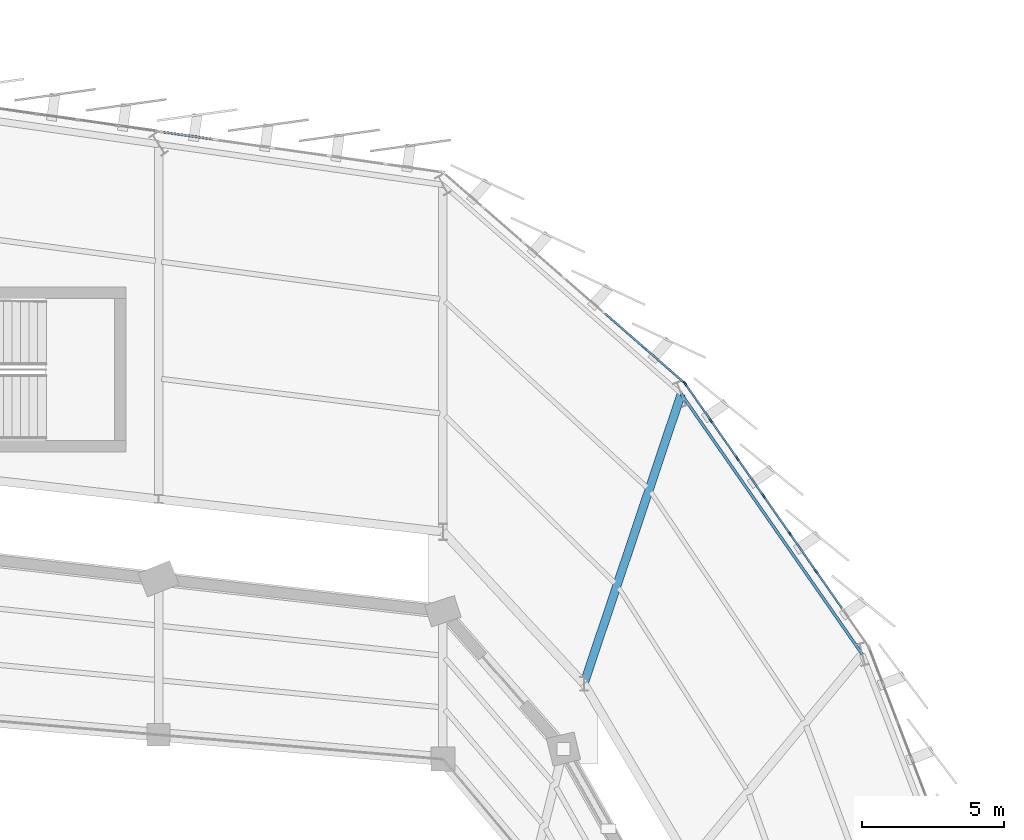
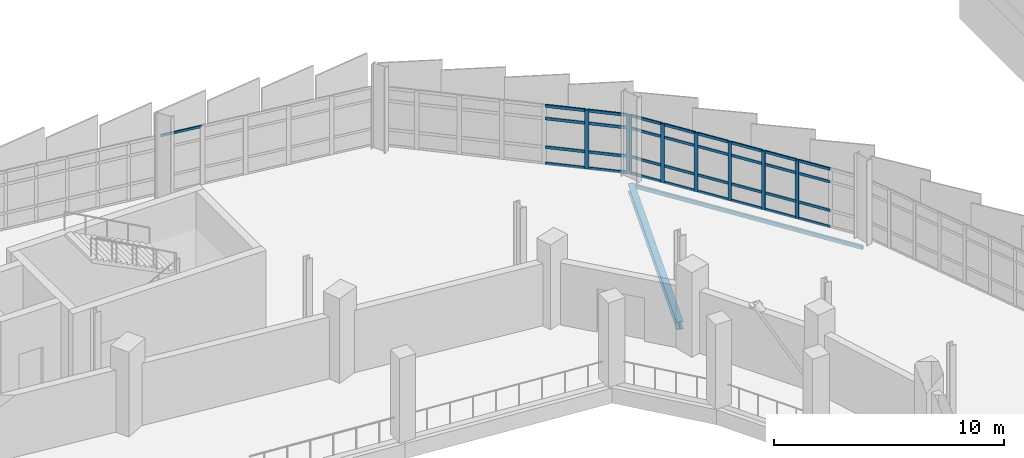
# One storey, part 77 of 125: 41 members, 2 beams, 3 elements without a shape of their own.
"""IFC4 building model written with IfcOpenShell, lengths in metres."""

from ifc_helpers import new_model, si_unit, direction, frame, origin, origin_2d, place, context, subcontext, project, spatial, rectangle, hollow_rectangle, i_section, extrude, material, layer, layer_set, material_profile, profile_set, type_object, element, aggregate, save


model = new_model("IFC4")

# Units and contexts
model_context = context("Model", 3, precision=1e-05, world=origin(), true_north=direction((0.0, 1.0)))
body_context = subcontext(model_context, "Body", "Model", "MODEL_VIEW")
ifc_project = project(units=[si_unit("LENGTHUNIT", "METRE"), si_unit("AREAUNIT", "SQUARE_METRE"), si_unit("VOLUMEUNIT", "CUBIC_METRE"), si_unit("PLANEANGLEUNIT", "RADIAN"), si_unit("MASSUNIT", "GRAM", prefix="KILO")], contexts=[model_context])

# Site, building, storey
site_placement = place(None, origin())
site = spatial("IfcSite", under=ifc_project, at=site_placement, CompositionType="ELEMENT")
building_placement = place(site_placement, origin())
building = spatial("IfcBuilding", under=site, at=building_placement, Name="Sohan Crest Arena", CompositionType="ELEMENT")
storey_placement = place(building_placement, frame((0.0, 0.0, 9.0)))
storey = spatial("IfcBuildingStorey", under=building, at=storey_placement, Name="L02", CompositionType="ELEMENT", Elevation=9.0)

# Curtain wall, members
ifc_material_1 = material(Name="Thermally broken anodised aluminium", Category="aluminium")
ifc_layer_1 = layer(ifc_material_1, 0.199951171875, Name="Thermally broken anodised aluminium")
ifc_layer_set_1 = layer_set([ifc_layer_1], Name="Thermally broken anodised aluminium")
curtain_wall_type_1 = type_object("IfcCurtainWallType", Name="ARC-CW02", PredefinedType="NOTDEFINED", material=ifc_layer_set_1)
curtain_wall_1_placement = place(storey_placement, origin())
curtain_wall_1 = element("IfcCurtainWall", 1, at=curtain_wall_1_placement, inside=storey, type_object=curtain_wall_type_1, Name="Unitised curtain wall CW-071", PredefinedType="NOTDEFINED")
ifc_material_profile_1 = material_profile(ifc_material_1, rectangle(XDim=0.06494140625, YDim=0.179931640625, at=origin_2d()), Name="ALU-MULL 65x180")
ifc_profile_set_1 = profile_set([ifc_material_profile_1], Name="Thermally broken anodised aluminium")
member_type_1 = type_object("IfcMemberType", Name="ARC-CW-ML02", PredefinedType="MULLION", material=ifc_profile_set_1)
member_1_placement = place(storey_placement, frame((181.128662109375, 102.4072265625, 0.0), z_axis=(0.0, 0.0, 1.0), x_axis=(-0.819954947639, -0.572428059971, 0.0)))
member_1 = element("IfcMember", 2, at=member_1_placement, type_object=member_type_1, Name="CW-071 mullion 3", PredefinedType="MULLION", context=body_context, shape_type="SweptSolid", body=[
    extrude(rectangle(XDim=0.06494140625, YDim=0.179931640625, at=origin_2d()), origin(), (0.0, 0.0, 1.0), 3.1201171875),
])
member_2_placement = place(storey_placement, frame((180.204833984375, 103.73046875, 0.0), z_axis=(0.0, 0.0, 1.0), x_axis=(-0.819954947639, -0.572428059971, 0.0)))
member_2 = element("IfcMember", 3, at=member_2_placement, type_object=member_type_1, Name="CW-071 mullion 4", PredefinedType="MULLION", context=body_context, shape_type="SweptSolid", body=[
    extrude(rectangle(XDim=0.06494140625, YDim=0.179931640625, at=origin_2d()), origin(), (0.0, 0.0, 1.0), 3.1201171875),
])
member_3_placement = place(storey_placement, frame((179.28125, 105.053466796875, 0.0), z_axis=(0.0, 0.0, 1.0), x_axis=(-0.819954947639, -0.572428059971, 0.0)))
member_3 = element("IfcMember", 4, at=member_3_placement, type_object=member_type_1, Name="CW-071 mullion 5", PredefinedType="MULLION", context=body_context, shape_type="SweptSolid", body=[
    extrude(rectangle(XDim=0.06494140625, YDim=0.179931640625, at=origin_2d()), origin(), (0.0, 0.0, 1.0), 3.1201171875),
])
member_4_placement = place(storey_placement, frame((178.357421875, 106.376708984375, 0.0), z_axis=(0.0, 0.0, 1.0), x_axis=(-0.819954947639, -0.572428059971, 0.0)))
member_4 = element("IfcMember", 5, at=member_4_placement, type_object=member_type_1, Name="CW-071 mullion 6", PredefinedType="MULLION", context=body_context, shape_type="SweptSolid", body=[
    extrude(rectangle(XDim=0.06494140625, YDim=0.179931640625, at=origin_2d()), origin(), (0.0, 0.0, 1.0), 3.1201171875),
])
member_5_placement = place(storey_placement, frame((177.43359375, 107.699951171875, 0.0), z_axis=(0.0, 0.0, 1.0), x_axis=(-0.819954947639, -0.572428059971, 0.0)))
member_5 = element("IfcMember", 6, at=member_5_placement, type_object=member_type_1, Name="CW-071 mullion 7", PredefinedType="MULLION", context=body_context, shape_type="SweptSolid", body=[
    extrude(rectangle(XDim=0.06494140625, YDim=0.179931640625, at=origin_2d()), origin(), (0.0, 0.0, 1.0), 3.1201171875),
])
member_6_placement = place(storey_placement, frame((176.528564453125, 108.996337890625, 0.0), z_axis=(0.0, 0.0, 1.0), x_axis=(-0.819954947639, -0.572428059971, 0.0)))
member_6 = element("IfcMember", 7, at=member_6_placement, type_object=member_type_1, Name="CW-071 mullion 8", PredefinedType="MULLION", context=body_context, shape_type="SweptSolid", body=[
    extrude(rectangle(XDim=0.06494140625, YDim=0.179931640625, at=origin_2d()), origin(), (0.0, 0.0, 1.0), 3.1201171875),
])

ifc_layer_2 = layer(ifc_material_1, 0.219970703125, Name="Thermally broken anodised aluminium")
ifc_layer_set_2 = layer_set([ifc_layer_2], Name="Thermally broken anodised aluminium")
curtain_wall_type_2 = type_object("IfcCurtainWallType", Name="ARC-CW03", PredefinedType="NOTDEFINED", material=ifc_layer_set_2)
curtain_wall_2_placement = place(storey_placement, origin())
curtain_wall_2 = element("IfcCurtainWall", 8, at=curtain_wall_2_placement, inside=storey, type_object=curtain_wall_type_2, Name="Unitised curtain wall CW-072", PredefinedType="NOTDEFINED")
ifc_material_profile_2 = material_profile(ifc_material_1, rectangle(XDim=0.070068359375, YDim=0.199951171875, at=origin_2d()), Name="ALU-MULL 70x200")
ifc_profile_set_2 = profile_set([ifc_material_profile_2], Name="Thermally broken anodised aluminium")
member_type_2 = type_object("IfcMemberType", Name="ARC-CW-ML03", PredefinedType="MULLION", material=ifc_profile_set_2)
member_7_placement = place(storey_placement, frame((176.483642578125, 109.0458984375, 0.0), z_axis=(0.0, 0.0, 1.0), x_axis=(-0.657538815294, -0.753420670265, 0.0)))
member_7 = element("IfcMember", 9, at=member_7_placement, type_object=member_type_2, Name="CW-072 mullion 1", PredefinedType="MULLION", context=body_context, shape_type="SweptSolid", body=[
    extrude(rectangle(XDim=0.070068359375, YDim=0.199951171875, at=origin_2d()), origin(), (0.0, 0.0, 1.0), 3.1201171875),
])
member_8_placement = place(storey_placement, frame((175.091552734375, 110.2607421875, 0.0), z_axis=(0.0, 0.0, 1.0), x_axis=(-0.657538815294, -0.753420670265, 0.0)))
member_8 = element("IfcMember", 10, at=member_8_placement, type_object=member_type_2, Name="CW-072 mullion 2", PredefinedType="MULLION", context=body_context, shape_type="SweptSolid", body=[
    extrude(rectangle(XDim=0.070068359375, YDim=0.199951171875, at=origin_2d()), origin(), (0.0, 0.0, 1.0), 3.1201171875),
])

# Curtain wall, member
ifc_layer_3 = layer(ifc_material_1, 0.239990234375, Name="Thermally broken anodised aluminium")
ifc_layer_set_3 = layer_set([ifc_layer_3], Name="Thermally broken anodised aluminium")
curtain_wall_type_3 = type_object("IfcCurtainWallType", Name="ARC-CW04", PredefinedType="NOTDEFINED", material=ifc_layer_set_3)
curtain_wall_3_placement = place(storey_placement, origin())
curtain_wall_3 = element("IfcCurtainWall", 11, at=curtain_wall_3_placement, inside=storey, type_object=curtain_wall_type_3, Name="Unitised curtain wall CW-073", PredefinedType="NOTDEFINED")
ifc_material_profile_3 = material_profile(ifc_material_1, rectangle(XDim=0.06005859375, YDim=0.1201171875, at=origin_2d()), Name="ALU-TRAN 60x120")
ifc_profile_set_3 = profile_set([ifc_material_profile_3], Name="Thermally broken anodised aluminium")
member_type_3 = type_object("IfcMemberType", Name="ARC-CW-TR01", PredefinedType="USERDEFINED", material=ifc_profile_set_3)
member_9_placement = place(storey_placement, frame((159.962890625, 117.598388671875, 3.090087890625), z_axis=(-0.989934132074, 0.141528845666, 0.0), x_axis=(-0.141528845666, -0.989934132074, 0.0)))
member_9 = element("IfcMember", 12, at=member_9_placement, type_object=member_type_3, Name="CW-073 transom 5.4", ObjectType="TRANSOM", PredefinedType="USERDEFINED", context=body_context, shape_type="SweptSolid", body=[
    extrude(rectangle(XDim=0.06005859375, YDim=0.1201171875, at=origin_2d()), origin(), (0.0, 0.0, 1.0), 1.907958984375),
])
aggregate(curtain_wall_3, [member_9])

# Member
ifc_material_profile_4 = material_profile(ifc_material_1, rectangle(XDim=0.06494140625, YDim=0.139892578125, at=origin_2d()), Name="ALU-TRAN 65x140")
ifc_profile_set_4 = profile_set([ifc_material_profile_4], Name="Thermally broken anodised aluminium")
member_type_4 = type_object("IfcMemberType", Name="ARC-CW-TR02", PredefinedType="USERDEFINED", material=ifc_profile_set_4)
member_10_placement = place(storey_placement, frame((182.03369140625, 101.11083984375, 0.032470703125), z_axis=(-0.57243556717, 0.819949706652, 0.0), x_axis=(-0.819949706652, -0.57243556717, 0.0)))
member_10 = element("IfcMember", 13, at=member_10_placement, type_object=member_type_4, Name="CW-071 transom 2.1", ObjectType="TRANSOM", PredefinedType="USERDEFINED", context=body_context, shape_type="SweptSolid", body=[
    extrude(rectangle(XDim=0.06494140625, YDim=0.139892578125, at=origin_2d()), origin(), (0.0, 0.0, 1.0), 1.548583984375),
])

member_11_placement = place(storey_placement, frame((182.03369140625, 101.11083984375, 0.89990234375), z_axis=(-0.57243556717, 0.819949706652, 0.0), x_axis=(-0.819949706652, -0.57243556717, 0.0)))
member_11 = element("IfcMember", 14, at=member_11_placement, type_object=member_type_4, Name="CW-071 transom 2.2", ObjectType="TRANSOM", PredefinedType="USERDEFINED", context=body_context, shape_type="SweptSolid", body=[
    extrude(rectangle(XDim=0.06494140625, YDim=0.139892578125, at=origin_2d()), origin(), (0.0, 0.0, 1.0), 1.548583984375),
])

member_12_placement = place(storey_placement, frame((182.03369140625, 101.11083984375, 2.419921875), z_axis=(-0.57243556717, 0.819949706652, 0.0), x_axis=(-0.819949706652, -0.57243556717, 0.0)))
member_12 = element("IfcMember", 15, at=member_12_placement, type_object=member_type_4, Name="CW-071 transom 2.3", ObjectType="TRANSOM", PredefinedType="USERDEFINED", context=body_context, shape_type="SweptSolid", body=[
    extrude(rectangle(XDim=0.06494140625, YDim=0.139892578125, at=origin_2d()), origin(), (0.0, 0.0, 1.0), 1.548583984375),
])

member_13_placement = place(storey_placement, frame((182.03369140625, 101.11083984375, 3.08740234375), z_axis=(-0.57243556717, 0.819949706652, 0.0), x_axis=(-0.819949706652, -0.57243556717, 0.0)))
member_13 = element("IfcMember", 16, at=member_13_placement, type_object=member_type_4, Name="CW-071 transom 2.4", ObjectType="TRANSOM", PredefinedType="USERDEFINED", context=body_context, shape_type="SweptSolid", body=[
    extrude(rectangle(XDim=0.06494140625, YDim=0.139892578125, at=origin_2d()), origin(), (0.0, 0.0, 1.0), 1.548583984375),
])

member_14_placement = place(storey_placement, frame((181.10986328125, 102.433837890625, 0.032470703125), z_axis=(-0.572361577392, 0.820001356539, 0.0), x_axis=(-0.820001356539, -0.572361577392, 0.0)))
member_14 = element("IfcMember", 17, at=member_14_placement, type_object=member_type_4, Name="CW-071 transom 3.1", ObjectType="TRANSOM", PredefinedType="USERDEFINED", context=body_context, shape_type="SweptSolid", body=[
    extrude(rectangle(XDim=0.06494140625, YDim=0.139892578125, at=origin_2d()), origin(), (0.0, 0.0, 1.0), 1.548828125),
])

member_15_placement = place(storey_placement, frame((181.10986328125, 102.433837890625, 0.89990234375), z_axis=(-0.572361577392, 0.820001356539, 0.0), x_axis=(-0.820001356539, -0.572361577392, 0.0)))
member_15 = element("IfcMember", 18, at=member_15_placement, type_object=member_type_4, Name="CW-071 transom 3.2", ObjectType="TRANSOM", PredefinedType="USERDEFINED", context=body_context, shape_type="SweptSolid", body=[
    extrude(rectangle(XDim=0.06494140625, YDim=0.139892578125, at=origin_2d()), origin(), (0.0, 0.0, 1.0), 1.548828125),
])

member_16_placement = place(storey_placement, frame((181.10986328125, 102.433837890625, 2.419921875), z_axis=(-0.572361577392, 0.820001356539, 0.0), x_axis=(-0.820001356539, -0.572361577392, 0.0)))
member_16 = element("IfcMember", 19, at=member_16_placement, type_object=member_type_4, Name="CW-071 transom 3.3", ObjectType="TRANSOM", PredefinedType="USERDEFINED", context=body_context, shape_type="SweptSolid", body=[
    extrude(rectangle(XDim=0.06494140625, YDim=0.139892578125, at=origin_2d()), origin(), (0.0, 0.0, 1.0), 1.548828125),
])

member_17_placement = place(storey_placement, frame((181.10986328125, 102.433837890625, 3.08740234375), z_axis=(-0.572361577392, 0.820001356539, 0.0), x_axis=(-0.820001356539, -0.572361577392, 0.0)))
member_17 = element("IfcMember", 20, at=member_17_placement, type_object=member_type_4, Name="CW-071 transom 3.4", ObjectType="TRANSOM", PredefinedType="USERDEFINED", context=body_context, shape_type="SweptSolid", body=[
    extrude(rectangle(XDim=0.06494140625, YDim=0.139892578125, at=origin_2d()), origin(), (0.0, 0.0, 1.0), 1.548828125),
])

member_18_placement = place(storey_placement, frame((180.186279296875, 103.757080078125, 0.032470703125), z_axis=(-0.57243556717, 0.819949706652, 0.0), x_axis=(-0.819949706652, -0.57243556717, 0.0)))
member_18 = element("IfcMember", 21, at=member_18_placement, type_object=member_type_4, Name="CW-071 transom 4.1", ObjectType="TRANSOM", PredefinedType="USERDEFINED", context=body_context, shape_type="SweptSolid", body=[
    extrude(rectangle(XDim=0.06494140625, YDim=0.139892578125, at=origin_2d()), origin(), (0.0, 0.0, 1.0), 1.548583984375),
])

member_19_placement = place(storey_placement, frame((180.186279296875, 103.757080078125, 0.89990234375), z_axis=(-0.57243556717, 0.819949706652, 0.0), x_axis=(-0.819949706652, -0.57243556717, 0.0)))
member_19 = element("IfcMember", 22, at=member_19_placement, type_object=member_type_4, Name="CW-071 transom 4.2", ObjectType="TRANSOM", PredefinedType="USERDEFINED", context=body_context, shape_type="SweptSolid", body=[
    extrude(rectangle(XDim=0.06494140625, YDim=0.139892578125, at=origin_2d()), origin(), (0.0, 0.0, 1.0), 1.548583984375),
])

member_20_placement = place(storey_placement, frame((180.186279296875, 103.757080078125, 2.419921875), z_axis=(-0.57243556717, 0.819949706652, 0.0), x_axis=(-0.819949706652, -0.57243556717, 0.0)))
member_20 = element("IfcMember", 23, at=member_20_placement, type_object=member_type_4, Name="CW-071 transom 4.3", ObjectType="TRANSOM", PredefinedType="USERDEFINED", context=body_context, shape_type="SweptSolid", body=[
    extrude(rectangle(XDim=0.06494140625, YDim=0.139892578125, at=origin_2d()), origin(), (0.0, 0.0, 1.0), 1.548583984375),
])

member_21_placement = place(storey_placement, frame((180.186279296875, 103.757080078125, 3.08740234375), z_axis=(-0.57243556717, 0.819949706652, 0.0), x_axis=(-0.819949706652, -0.57243556717, 0.0)))
member_21 = element("IfcMember", 24, at=member_21_placement, type_object=member_type_4, Name="CW-071 transom 4.4", ObjectType="TRANSOM", PredefinedType="USERDEFINED", context=body_context, shape_type="SweptSolid", body=[
    extrude(rectangle(XDim=0.06494140625, YDim=0.139892578125, at=origin_2d()), origin(), (0.0, 0.0, 1.0), 1.548583984375),
])

member_22_placement = place(storey_placement, frame((179.262451171875, 105.080322265625, 0.032470703125), z_axis=(-0.57243556717, 0.819949706652, 0.0), x_axis=(-0.819949706652, -0.57243556717, 0.0)))
member_22 = element("IfcMember", 25, at=member_22_placement, type_object=member_type_4, Name="CW-071 transom 5.1", ObjectType="TRANSOM", PredefinedType="USERDEFINED", context=body_context, shape_type="SweptSolid", body=[
    extrude(rectangle(XDim=0.06494140625, YDim=0.139892578125, at=origin_2d()), origin(), (0.0, 0.0, 1.0), 1.548583984375),
])

member_23_placement = place(storey_placement, frame((179.262451171875, 105.080322265625, 0.89990234375), z_axis=(-0.57243556717, 0.819949706652, 0.0), x_axis=(-0.819949706652, -0.57243556717, 0.0)))
member_23 = element("IfcMember", 26, at=member_23_placement, type_object=member_type_4, Name="CW-071 transom 5.2", ObjectType="TRANSOM", PredefinedType="USERDEFINED", context=body_context, shape_type="SweptSolid", body=[
    extrude(rectangle(XDim=0.06494140625, YDim=0.139892578125, at=origin_2d()), origin(), (0.0, 0.0, 1.0), 1.548583984375),
])

member_24_placement = place(storey_placement, frame((179.262451171875, 105.080322265625, 2.419921875), z_axis=(-0.57243556717, 0.819949706652, 0.0), x_axis=(-0.819949706652, -0.57243556717, 0.0)))
member_24 = element("IfcMember", 27, at=member_24_placement, type_object=member_type_4, Name="CW-071 transom 5.3", ObjectType="TRANSOM", PredefinedType="USERDEFINED", context=body_context, shape_type="SweptSolid", body=[
    extrude(rectangle(XDim=0.06494140625, YDim=0.139892578125, at=origin_2d()), origin(), (0.0, 0.0, 1.0), 1.548583984375),
])

member_25_placement = place(storey_placement, frame((179.262451171875, 105.080322265625, 3.08740234375), z_axis=(-0.57243556717, 0.819949706652, 0.0), x_axis=(-0.819949706652, -0.57243556717, 0.0)))
member_25 = element("IfcMember", 28, at=member_25_placement, type_object=member_type_4, Name="CW-071 transom 5.4", ObjectType="TRANSOM", PredefinedType="USERDEFINED", context=body_context, shape_type="SweptSolid", body=[
    extrude(rectangle(XDim=0.06494140625, YDim=0.139892578125, at=origin_2d()), origin(), (0.0, 0.0, 1.0), 1.548583984375),
])

member_26_placement = place(storey_placement, frame((178.3388671875, 106.4033203125, 0.032470703125), z_axis=(-0.57243556717, 0.819949706652, 0.0), x_axis=(-0.819949706652, -0.57243556717, 0.0)))
member_26 = element("IfcMember", 29, at=member_26_placement, type_object=member_type_4, Name="CW-071 transom 6.1", ObjectType="TRANSOM", PredefinedType="USERDEFINED", context=body_context, shape_type="SweptSolid", body=[
    extrude(rectangle(XDim=0.06494140625, YDim=0.139892578125, at=origin_2d()), origin(), (0.0, 0.0, 1.0), 1.548583984375),
])

member_27_placement = place(storey_placement, frame((178.3388671875, 106.4033203125, 0.89990234375), z_axis=(-0.57243556717, 0.819949706652, 0.0), x_axis=(-0.819949706652, -0.57243556717, 0.0)))
member_27 = element("IfcMember", 30, at=member_27_placement, type_object=member_type_4, Name="CW-071 transom 6.2", ObjectType="TRANSOM", PredefinedType="USERDEFINED", context=body_context, shape_type="SweptSolid", body=[
    extrude(rectangle(XDim=0.06494140625, YDim=0.139892578125, at=origin_2d()), origin(), (0.0, 0.0, 1.0), 1.548583984375),
])

member_28_placement = place(storey_placement, frame((178.3388671875, 106.4033203125, 2.419921875), z_axis=(-0.57243556717, 0.819949706652, 0.0), x_axis=(-0.819949706652, -0.57243556717, 0.0)))
member_28 = element("IfcMember", 31, at=member_28_placement, type_object=member_type_4, Name="CW-071 transom 6.3", ObjectType="TRANSOM", PredefinedType="USERDEFINED", context=body_context, shape_type="SweptSolid", body=[
    extrude(rectangle(XDim=0.06494140625, YDim=0.139892578125, at=origin_2d()), origin(), (0.0, 0.0, 1.0), 1.548583984375),
])

member_29_placement = place(storey_placement, frame((178.3388671875, 106.4033203125, 3.08740234375), z_axis=(-0.57243556717, 0.819949706652, 0.0), x_axis=(-0.819949706652, -0.57243556717, 0.0)))
member_29 = element("IfcMember", 32, at=member_29_placement, type_object=member_type_4, Name="CW-071 transom 6.4", ObjectType="TRANSOM", PredefinedType="USERDEFINED", context=body_context, shape_type="SweptSolid", body=[
    extrude(rectangle(XDim=0.06494140625, YDim=0.139892578125, at=origin_2d()), origin(), (0.0, 0.0, 1.0), 1.548583984375),
])

member_30_placement = place(storey_placement, frame((177.4150390625, 107.7265625, 0.032470703125), z_axis=(-0.572446037216, 0.819942397047, 0.0), x_axis=(-0.819942397047, -0.572446037216, 0.0)))
member_30 = element("IfcMember", 33, at=member_30_placement, type_object=member_type_4, Name="CW-071 transom 7.1", ObjectType="TRANSOM", PredefinedType="USERDEFINED", context=body_context, shape_type="SweptSolid", body=[
    extrude(rectangle(XDim=0.06494140625, YDim=0.139892578125, at=origin_2d()), origin(), (0.0, 0.0, 1.0), 1.51611328125),
])

member_31_placement = place(storey_placement, frame((177.4150390625, 107.7265625, 0.89990234375), z_axis=(-0.572446037216, 0.819942397047, 0.0), x_axis=(-0.819942397047, -0.572446037216, 0.0)))
member_31 = element("IfcMember", 34, at=member_31_placement, type_object=member_type_4, Name="CW-071 transom 7.2", ObjectType="TRANSOM", PredefinedType="USERDEFINED", context=body_context, shape_type="SweptSolid", body=[
    extrude(rectangle(XDim=0.06494140625, YDim=0.139892578125, at=origin_2d()), origin(), (0.0, 0.0, 1.0), 1.51611328125),
])

member_32_placement = place(storey_placement, frame((177.4150390625, 107.7265625, 2.419921875), z_axis=(-0.572446037216, 0.819942397047, 0.0), x_axis=(-0.819942397047, -0.572446037216, 0.0)))
member_32 = element("IfcMember", 35, at=member_32_placement, type_object=member_type_4, Name="CW-071 transom 7.3", ObjectType="TRANSOM", PredefinedType="USERDEFINED", context=body_context, shape_type="SweptSolid", body=[
    extrude(rectangle(XDim=0.06494140625, YDim=0.139892578125, at=origin_2d()), origin(), (0.0, 0.0, 1.0), 1.51611328125),
])

member_33_placement = place(storey_placement, frame((177.4150390625, 107.7265625, 3.08740234375), z_axis=(-0.572446037216, 0.819942397047, 0.0), x_axis=(-0.819942397047, -0.572446037216, 0.0)))
member_33 = element("IfcMember", 36, at=member_33_placement, type_object=member_type_4, Name="CW-071 transom 7.4", ObjectType="TRANSOM", PredefinedType="USERDEFINED", context=body_context, shape_type="SweptSolid", body=[
    extrude(rectangle(XDim=0.06494140625, YDim=0.139892578125, at=origin_2d()), origin(), (0.0, 0.0, 1.0), 1.51611328125),
])

aggregate(curtain_wall_1, [member_1, member_2, member_3, member_4, member_5, member_6, member_10, member_11, member_12, member_13, member_14, member_15, member_16, member_17, member_18, member_19, member_20, member_21, member_22, member_23, member_24, member_25, member_26, member_27, member_28, member_29, member_30, member_31, member_32, member_33])

ifc_material_profile_5 = material_profile(ifc_material_1, rectangle(XDim=0.070068359375, YDim=0.14990234375, at=origin_2d()), Name="ALU-TRAN 70x150")
ifc_profile_set_5 = profile_set([ifc_material_profile_5], Name="Thermally broken anodised aluminium")
member_type_5 = type_object("IfcMemberType", Name="ARC-CW-TR03", PredefinedType="USERDEFINED", material=ifc_profile_set_5)
member_34_placement = place(storey_placement, frame((176.457275390625, 109.069091796875, 0.034912109375), z_axis=(-0.75347785103, 0.657473290718, 0.0), x_axis=(-0.657473290718, -0.75347785103, 0.0)))
member_34 = element("IfcMember", 37, at=member_34_placement, type_object=member_type_5, Name="CW-072 transom 1.1", ObjectType="TRANSOM", PredefinedType="USERDEFINED", context=body_context, shape_type="SweptSolid", body=[
    extrude(rectangle(XDim=0.070068359375, YDim=0.14990234375, at=origin_2d()), origin(), (0.0, 0.0, 1.0), 1.777587890625),
])

member_35_placement = place(storey_placement, frame((176.457275390625, 109.069091796875, 0.89990234375), z_axis=(-0.75347785103, 0.657473290718, 0.0), x_axis=(-0.657473290718, -0.75347785103, 0.0)))
member_35 = element("IfcMember", 38, at=member_35_placement, type_object=member_type_5, Name="CW-072 transom 1.2", ObjectType="TRANSOM", PredefinedType="USERDEFINED", context=body_context, shape_type="SweptSolid", body=[
    extrude(rectangle(XDim=0.070068359375, YDim=0.14990234375, at=origin_2d()), origin(), (0.0, 0.0, 1.0), 1.777587890625),
])

member_36_placement = place(storey_placement, frame((176.457275390625, 109.069091796875, 2.419921875), z_axis=(-0.75347785103, 0.657473290718, 0.0), x_axis=(-0.657473290718, -0.75347785103, 0.0)))
member_36 = element("IfcMember", 39, at=member_36_placement, type_object=member_type_5, Name="CW-072 transom 1.3", ObjectType="TRANSOM", PredefinedType="USERDEFINED", context=body_context, shape_type="SweptSolid", body=[
    extrude(rectangle(XDim=0.070068359375, YDim=0.14990234375, at=origin_2d()), origin(), (0.0, 0.0, 1.0), 1.777587890625),
])

member_37_placement = place(storey_placement, frame((176.457275390625, 109.069091796875, 3.0849609375), z_axis=(-0.75347785103, 0.657473290718, 0.0), x_axis=(-0.657473290718, -0.75347785103, 0.0)))
member_37 = element("IfcMember", 40, at=member_37_placement, type_object=member_type_5, Name="CW-072 transom 1.4", ObjectType="TRANSOM", PredefinedType="USERDEFINED", context=body_context, shape_type="SweptSolid", body=[
    extrude(rectangle(XDim=0.070068359375, YDim=0.14990234375, at=origin_2d()), origin(), (0.0, 0.0, 1.0), 1.777587890625),
])

member_38_placement = place(storey_placement, frame((175.065185546875, 110.283935546875, 0.034912109375), z_axis=(-0.75343557785, 0.657521733504, 0.0), x_axis=(-0.657521733504, -0.75343557785, 0.0)))
member_38 = element("IfcMember", 41, at=member_38_placement, type_object=member_type_5, Name="CW-072 transom 2.1", ObjectType="TRANSOM", PredefinedType="USERDEFINED", context=body_context, shape_type="SweptSolid", body=[
    extrude(rectangle(XDim=0.070068359375, YDim=0.14990234375, at=origin_2d()), origin(), (0.0, 0.0, 1.0), 1.812255859375),
])

member_39_placement = place(storey_placement, frame((175.065185546875, 110.283935546875, 0.89990234375), z_axis=(-0.75343557785, 0.657521733504, 0.0), x_axis=(-0.657521733504, -0.75343557785, 0.0)))
member_39 = element("IfcMember", 42, at=member_39_placement, type_object=member_type_5, Name="CW-072 transom 2.2", ObjectType="TRANSOM", PredefinedType="USERDEFINED", context=body_context, shape_type="SweptSolid", body=[
    extrude(rectangle(XDim=0.070068359375, YDim=0.14990234375, at=origin_2d()), origin(), (0.0, 0.0, 1.0), 1.812255859375),
])

member_40_placement = place(storey_placement, frame((175.065185546875, 110.283935546875, 2.419921875), z_axis=(-0.75343557785, 0.657521733504, 0.0), x_axis=(-0.657521733504, -0.75343557785, 0.0)))
member_40 = element("IfcMember", 43, at=member_40_placement, type_object=member_type_5, Name="CW-072 transom 2.3", ObjectType="TRANSOM", PredefinedType="USERDEFINED", context=body_context, shape_type="SweptSolid", body=[
    extrude(rectangle(XDim=0.070068359375, YDim=0.14990234375, at=origin_2d()), origin(), (0.0, 0.0, 1.0), 1.812255859375),
])

member_41_placement = place(storey_placement, frame((175.065185546875, 110.283935546875, 3.0849609375), z_axis=(-0.75343557785, 0.657521733504, 0.0), x_axis=(-0.657521733504, -0.75343557785, 0.0)))
member_41 = element("IfcMember", 44, at=member_41_placement, type_object=member_type_5, Name="CW-072 transom 2.4", ObjectType="TRANSOM", PredefinedType="USERDEFINED", context=body_context, shape_type="SweptSolid", body=[
    extrude(rectangle(XDim=0.070068359375, YDim=0.14990234375, at=origin_2d()), origin(), (0.0, 0.0, 1.0), 1.812255859375),
])

aggregate(curtain_wall_2, [member_7, member_8, member_34, member_35, member_36, member_37, member_38, member_39, member_40, member_41])

# Beams
ifc_material_2 = material(Name="Steel S355", Category="steel")
ifc_material_profile_6 = material_profile(ifc_material_2, i_section(OverallWidth=0.300048828125, OverallDepth=0.39990234375, WebThickness=0.013427734375, FlangeThickness=0.02392578125, at=origin_2d()), Name="HEB 400")
ifc_profile_set_6 = profile_set([ifc_material_profile_6], Name="Steel S355")
beam_type_1 = type_object("IfcBeamType", Name="STR-BM-B13", PredefinedType="BEAM", material=ifc_profile_set_6)
beam_1_placement = place(storey_placement, frame((172.9609375, 98.452880859375, -0.449951171875), z_axis=(0.318297981778, 0.947990714509, 0.0), x_axis=(-0.947990714509, 0.318297981778, 0.0)))
element("IfcBeam", 45, at=beam_1_placement, inside=storey, type_object=beam_type_1, Name="Structural beam G-L02-1361", PredefinedType="BEAM", context=body_context, shape_type="SweptSolid", body=[
    extrude(i_section(OverallWidth=0.300048828125, OverallDepth=0.39990234375, WebThickness=0.013427734375, FlangeThickness=0.02392578125, at=origin_2d()), origin(), (0.0, 0.0, 1.0), 10.751220703125),
])
ifc_material_profile_7 = material_profile(ifc_material_2, hollow_rectangle(XDim=0.10009765625, YDim=0.199951171875, WallThickness=0.008056640625, at=origin_2d()), Name="RHS 200x100x8")
ifc_profile_set_7 = profile_set([ifc_material_profile_7], Name="Steel S355")
beam_type_2 = type_object("IfcBeamType", Name="STR-BM-SP01", PredefinedType="SPANDREL", material=ifc_profile_set_7)
beam_2_placement = place(storey_placement, frame((182.7490234375, 99.489013671875, -0.35009765625), z_axis=(-0.570857282329, 0.8210493062, 0.0), x_axis=(-0.8210493062, -0.570857282329, 0.0)))
element("IfcBeam", 46, at=beam_2_placement, inside=storey, type_object=beam_type_2, Name="Structural beam SP-L02-1358", PredefinedType="SPANDREL", context=body_context, shape_type="SweptSolid", body=[
    extrude(hollow_rectangle(XDim=0.10009765625, YDim=0.199951171875, WallThickness=0.008056640625, at=origin_2d()), origin(), (0.0, 0.0, 1.0), 11.151611328125),
])

save(model, "model.ifc")
